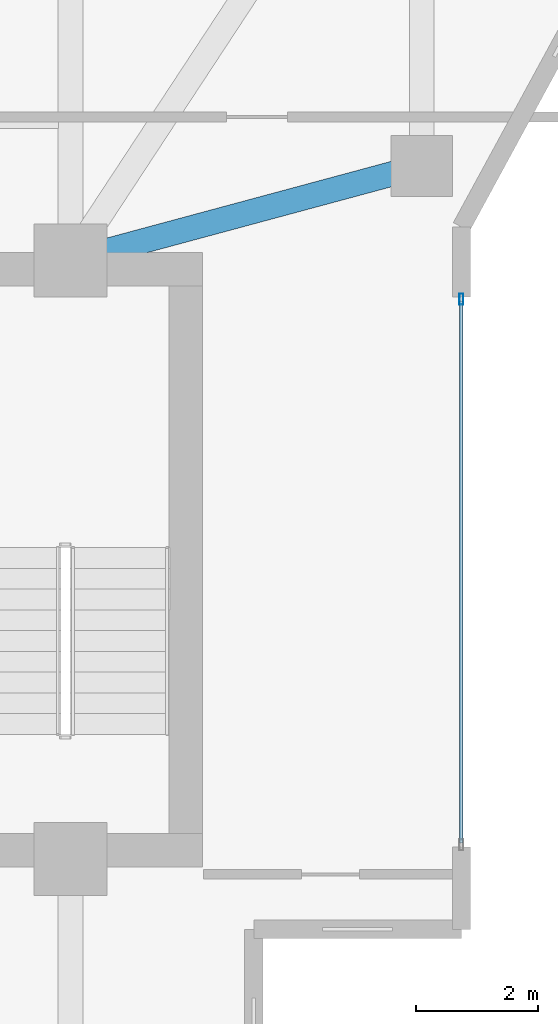
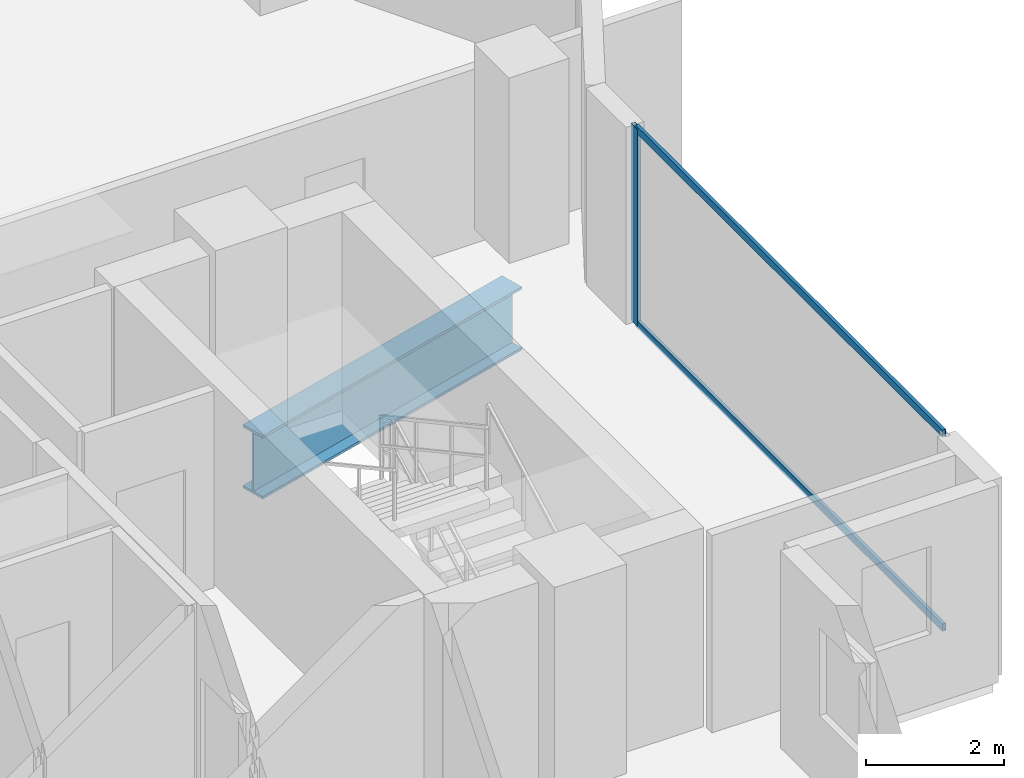
# One storey, part 10 of 28: 3 members, 1 beam, 1 element without a shape of its own.
"""IFC4 building model written with IfcOpenShell, lengths in metres."""

from ifc_helpers import new_model, si_unit, direction, frame, origin, origin_2d, place, context, subcontext, project, spatial, hollow_rectangle, i_section, extrude, material, layer, layer_set, material_profile, profile_set, type_object, element, aggregate, save


model = new_model("IFC4")

# Units and contexts
model_context = context("Model", 3, precision=1e-05, world=origin(), true_north=direction((0.0, 1.0)))
body_context = subcontext(model_context, "Body", "Model", "MODEL_VIEW")
ifc_project = project(units=[si_unit("LENGTHUNIT", "METRE"), si_unit("AREAUNIT", "SQUARE_METRE"), si_unit("VOLUMEUNIT", "CUBIC_METRE"), si_unit("PLANEANGLEUNIT", "RADIAN"), si_unit("MASSUNIT", "GRAM", prefix="KILO")], contexts=[model_context])

# Site, building, storey
site_placement = place(None, origin())
site = spatial("IfcSite", under=ifc_project, at=site_placement, CompositionType="ELEMENT")
building_placement = place(site_placement, origin())
building = spatial("IfcBuilding", under=site, at=building_placement, Name="Zuhayl Quay Hotel", CompositionType="ELEMENT")
storey_placement = place(building_placement, frame((0.0, 0.0, 239.64990234375)))
storey = spatial("IfcBuildingStorey", under=building, at=storey_placement, Name="L60", CompositionType="ELEMENT", Elevation=239.64990234375)

# Beam
ifc_material_1 = material(Name="Steel ASTM A913 Grade 65", Category="steel")
ifc_material_profile_1 = material_profile(ifc_material_1, i_section(OverallWidth=0.404052734375, OverallDepth=1.117919921875, WebThickness=0.026123046875, FlangeThickness=0.044921875, at=origin_2d()), Name="W44X335")
ifc_profile_set_1 = profile_set([ifc_material_profile_1], Name="Steel ASTM A913 Grade 65")
beam_type = type_object("IfcBeamType", Name="BM_TG1_W44X335", PredefinedType="BEAM", material=ifc_profile_set_1)
beam_placement = place(storey_placement, frame((14.234619140625, 14.467041015625, -0.81884765625), z_axis=(0.965531730785, 0.260285375784, 0.0), x_axis=(-0.260285375784, 0.965531730785, 0.0)))
element("IfcBeam", 1, at=beam_placement, inside=storey, type_object=beam_type, Name="L60 Floor Beam FG_E_L60_1", PredefinedType="BEAM", context=body_context, shape_type="SweptSolid", body=[
    extrude(i_section(OverallWidth=0.404052734375, OverallDepth=1.117919921875, WebThickness=0.026123046875, FlangeThickness=0.044921875, at=origin_2d()), origin(), (0.0, 0.0, 1.0), 5.30517578125),
])

# Curtain wall, members
ifc_material_2 = material(Name="Anodised Aluminium 6063-T6", Category="aluminium")
ifc_layer = layer(ifc_material_2, 0.169921875, Name="Anodised Aluminium 6063-T6", Category="aluminium")
ifc_layer_set = layer_set([ifc_layer], Name="Anodised Aluminium 6063-T6")
curtain_wall_type = type_object("IfcCurtainWallType", Name="CW_SYS_Z4", PredefinedType="USERDEFINED", material=ifc_layer_set)
curtain_wall_placement = place(storey_placement, origin())
curtain_wall = element("IfcCurtainWall", 2, at=curtain_wall_placement, inside=storey, type_object=curtain_wall_type, Name="L60 Curtain Wall ENV_L60_E14_CW1", ObjectType="UNITISED CURTAIN WALL", PredefinedType="USERDEFINED")
ifc_material_3 = material(Name="Black-anodised aluminium 6063-T6", Category="aluminium")
ifc_material_profile_2 = material_profile(ifc_material_3, hollow_rectangle(XDim=0.06494140625, YDim=0.179931640625, WallThickness=0.00341796875, at=origin_2d()), Name="ALU180X65")
ifc_profile_set_2 = profile_set([ifc_material_profile_2], Name="Black-anodised aluminium 6063-T6")
member_type_1 = type_object("IfcMemberType", Name="MB_CW_MUL_180", PredefinedType="MULLION", material=ifc_profile_set_2)
member_1_placement = place(storey_placement, frame((20.199951171875, 13.717529296875, 0.0), z_axis=(0.0, 0.0, 1.0), x_axis=(1.0, 0.0, 0.0)))
member_1 = element("IfcMember", 3, at=member_1_placement, type_object=member_type_1, Name="CW-Z4 mullion 1", PredefinedType="MULLION", context=body_context, shape_type="SweptSolid", body=[
    extrude(hollow_rectangle(XDim=0.06494140625, YDim=0.179931640625, WallThickness=0.00341796875, at=origin_2d()), origin(), (0.0, 0.0, 1.0), 3.47998046875),
])
ifc_material_profile_3 = material_profile(ifc_material_3, hollow_rectangle(XDim=0.054931640625, YDim=0.1298828125, WallThickness=0.0029296875, at=origin_2d()), Name="ALU130X55")
ifc_profile_set_3 = profile_set([ifc_material_profile_3], Name="Black-anodised aluminium 6063-T6")
member_type_2 = type_object("IfcMemberType", Name="MB_CW_TRN_130", PredefinedType="USERDEFINED", material=ifc_profile_set_3)
member_2_placement = place(storey_placement, frame((20.199951171875, 13.68505859375, 0.027587890625), z_axis=(0.0, -1.0, 0.0), x_axis=(1.0, 0.0, 0.0)))
member_2 = element("IfcMember", 4, at=member_2_placement, type_object=member_type_2, Name="CW-Z4 transom 1.1", ObjectType="TRANSOM", PredefinedType="USERDEFINED", context=body_context, shape_type="SweptSolid", body=[
    extrude(hollow_rectangle(XDim=0.054931640625, YDim=0.1298828125, WallThickness=0.0029296875, at=origin_2d()), origin(), (0.0, 0.0, 1.0), 8.8701171875),
])
member_3_placement = place(storey_placement, frame((20.199951171875, 13.68505859375, 3.45263671875), z_axis=(0.0, -1.0, 0.0), x_axis=(1.0, 0.0, 0.0)))
member_3 = element("IfcMember", 5, at=member_3_placement, type_object=member_type_2, Name="CW-Z4 transom 1.2", ObjectType="TRANSOM", PredefinedType="USERDEFINED", context=body_context, shape_type="SweptSolid", body=[
    extrude(hollow_rectangle(XDim=0.054931640625, YDim=0.1298828125, WallThickness=0.0029296875, at=origin_2d()), origin(), (0.0, 0.0, 1.0), 8.8701171875),
])
aggregate(curtain_wall, [member_1, member_2, member_3])

save(model, "model.ifc")
